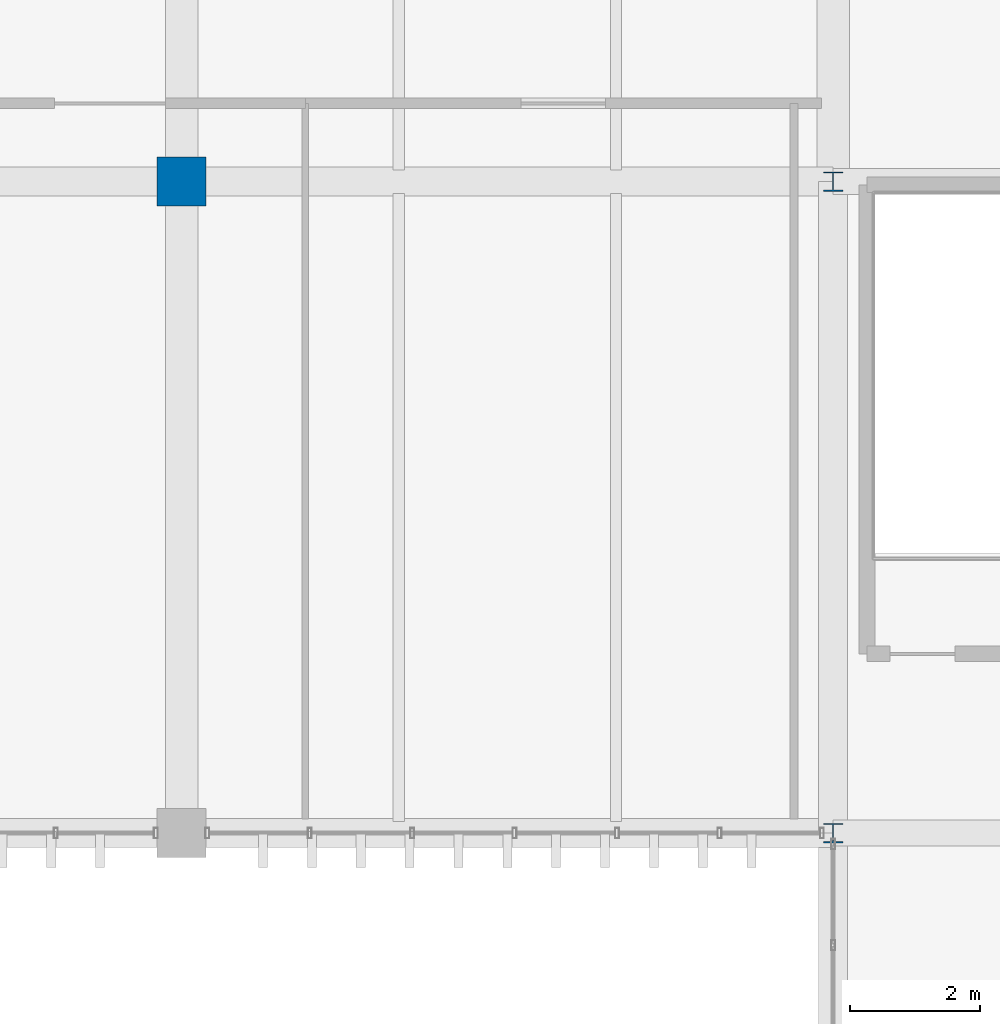
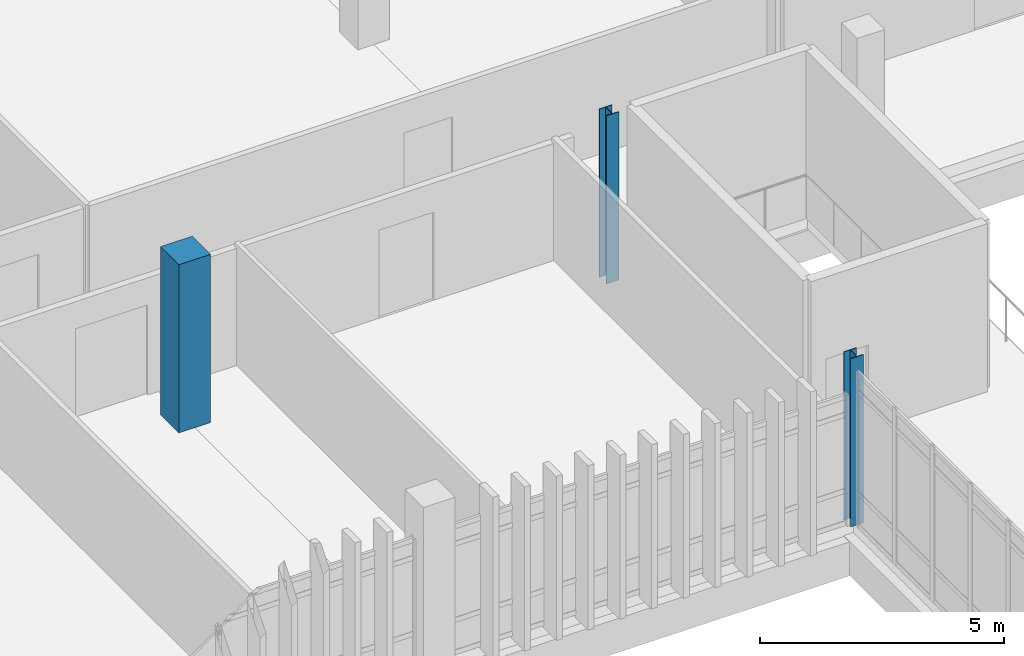
# One storey, part 3 of 161: 3 columns.
"""IFC4 building model written with IfcOpenShell, lengths in metres."""

from ifc_helpers import new_model, si_unit, direction, frame, origin, origin_2d, place, context, subcontext, project, spatial, rectangle, i_section, extrude, material, material_profile, profile_set, type_object, element, save


model = new_model("IFC4")

# Units and contexts
model_context = context("Model", 3, precision=1e-05, world=origin(), true_north=direction((0.0, 1.0)))
body_context = subcontext(model_context, "Body", "Model", "MODEL_VIEW")
ifc_project = project(units=[si_unit("LENGTHUNIT", "METRE"), si_unit("AREAUNIT", "SQUARE_METRE"), si_unit("VOLUMEUNIT", "CUBIC_METRE"), si_unit("PLANEANGLEUNIT", "RADIAN"), si_unit("MASSUNIT", "GRAM", prefix="KILO")], contexts=[model_context])

# Site, building, storey
site_placement = place(None, origin())
site = spatial("IfcSite", under=ifc_project, at=site_placement, CompositionType="ELEMENT")
building_placement = place(site_placement, origin())
building = spatial("IfcBuilding", under=site, at=building_placement, Name="Mersad Railyard Sports Hall", CompositionType="ELEMENT")
storey_placement = place(building_placement, frame((0.0, 0.0, 4.800048828125)))
storey = spatial("IfcBuildingStorey", under=building, at=storey_placement, Name="L01", CompositionType="ELEMENT", Elevation=4.800048828125)

# Columns
ifc_material_1 = material(Name="Concrete C50/60", Category="concrete")
ifc_material_profile_1 = material_profile(ifc_material_1, rectangle(XDim=0.75, YDim=0.75, at=origin_2d()), Name="RC 750x750")
ifc_profile_set_1 = profile_set([ifc_material_profile_1], Name="Concrete C50/60")
column_type_1 = type_object("IfcColumnType", Name="STR-COL-C03", PredefinedType="COLUMN", material=ifc_profile_set_1)
column_placement = place(storey_placement, frame((121.0, 95.0, 0.0), z_axis=(0.0, 0.0, 1.0), x_axis=(1.0, 0.0, 0.0)))
element("IfcColumn", 1, at=column_placement, inside=storey, type_object=column_type_1, Name="Column C03 L01 (121.0,95.0)", PredefinedType="COLUMN", context=body_context, shape_type="SweptSolid", body=[
    extrude(rectangle(XDim=0.75, YDim=0.75, at=origin_2d()), origin(), (0.0, 0.0, 1.0), 4.199951171875),
])
ifc_material_2 = material(Name="Steel S355", Category="steel")
ifc_material_profile_2 = material_profile(ifc_material_2, i_section(OverallWidth=0.300048828125, OverallDepth=0.300048828125, WebThickness=0.010986328125, FlangeThickness=0.01904296875, at=origin_2d()), Name="HEB 300")
ifc_profile_set_2 = profile_set([ifc_material_profile_2], Name="Steel S355")
column_type_2 = type_object("IfcColumnType", Name="STR-COL-C10", PredefinedType="COLUMN", material=ifc_profile_set_2)
for number, where, z_axis, x_axis, name in (
    (2, (131.0, 85.0, 0.0), (0.0, 0.0, 1.0), (1.0, 0.0, 0.0), "Column C10 L01 (131.0,85.0)"),
    (3, (131.0, 95.0, 0.0), (0.0, 0.0, 1.0), (1.0, 0.0, 0.0), "Column C10 L01 (131.0,95.0)"),
):
    element("IfcColumn", number, at=place(storey_placement, frame(where, z_axis=z_axis, x_axis=x_axis)), inside=storey, type_object=column_type_2, Name=name, PredefinedType="COLUMN", context=body_context, shape_type="SweptSolid", body=[
        extrude(i_section(OverallWidth=0.300048828125, OverallDepth=0.300048828125, WebThickness=0.010986328125, FlangeThickness=0.01904296875, at=origin_2d()), origin(), (0.0, 0.0, 1.0), 4.199951171875),
    ])

save(model, "model.ifc")
